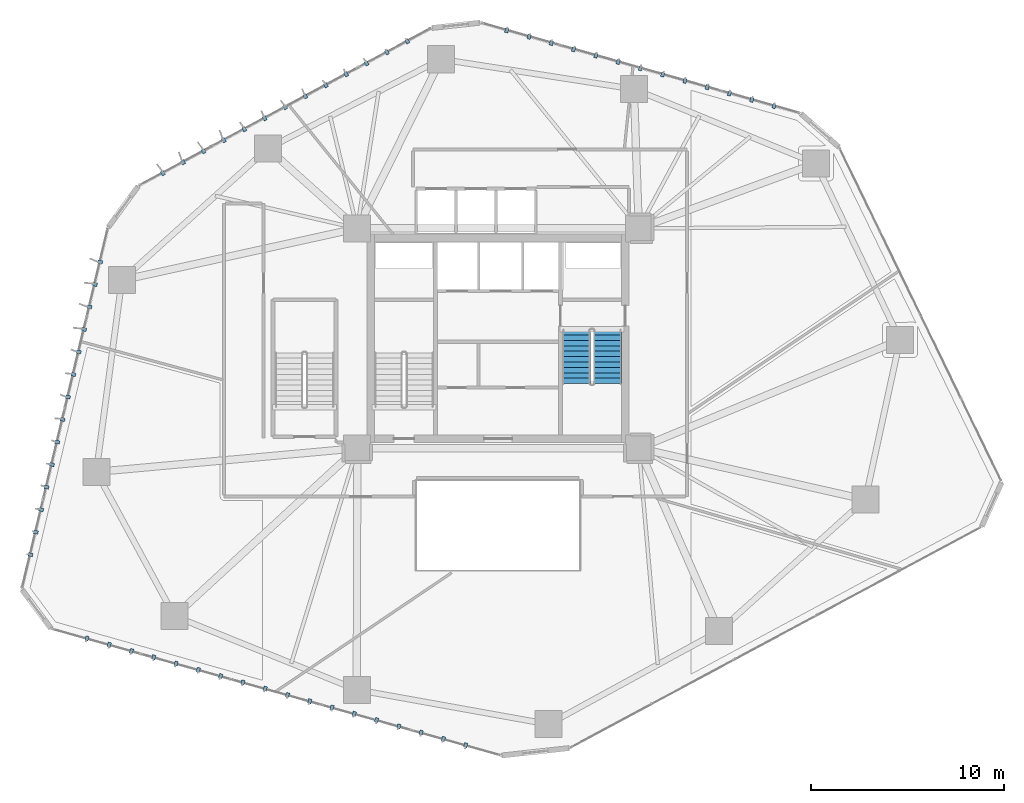
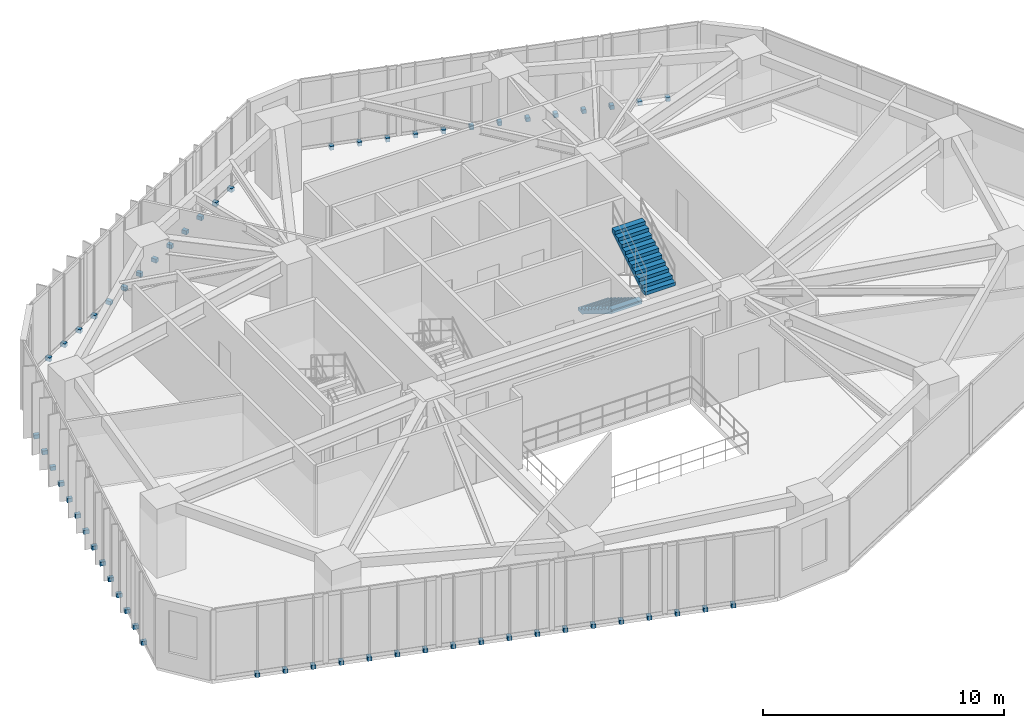
# One storey, part 21 of 24: 58 discrete accessories, 2 stair flights, 1 element without a shape of its own.
"""IFC4 building model written with IfcOpenShell, lengths in metres."""

from ifc_helpers import new_model, si_unit, direction, frame, origin, origin_2d, place, context, subcontext, project, spatial, polyline, rectangle, outline, extrude, source, transform, mapped, material, layer, layer_set, type_object, type_shapes, element, aggregate, save


model = new_model("IFC4")

# Units and contexts
model_context = context("Model", 3, precision=1e-05, world=origin(), true_north=direction((0.0, 1.0)))
body_context = subcontext(model_context, "Body", "Model", "MODEL_VIEW")
ifc_project = project(units=[si_unit("LENGTHUNIT", "METRE"), si_unit("AREAUNIT", "SQUARE_METRE"), si_unit("VOLUMEUNIT", "CUBIC_METRE"), si_unit("PLANEANGLEUNIT", "RADIAN"), si_unit("MASSUNIT", "GRAM", prefix="KILO")], contexts=[model_context])

# Site, building, storey
site_placement = place(None, origin())
site = spatial("IfcSite", under=ifc_project, at=site_placement, CompositionType="ELEMENT")
building_placement = place(site_placement, origin())
building = spatial("IfcBuilding", under=site, at=building_placement, Name="Talar Marvaseh", CompositionType="ELEMENT")
storey_placement = place(building_placement, frame((0.0, 0.0, 43.0)))
storey = spatial("IfcBuildingStorey", under=building, at=storey_placement, Name="L10", CompositionType="ELEMENT", Elevation=43.0)

# Stair, stair flights
ifc_material_1 = material(Name="Concrete C40/50", Category="concrete")
stair_type = type_object("IfcStairType", Name="Reinforced Concrete Half-Turn Exit Stair Type B", PredefinedType="HALF_TURN_STAIR", material=ifc_material_1)
stair_placement = place(storey_placement, origin())
stair = element("IfcStair", 1, at=stair_placement, inside=storey, type_object=stair_type, Name="L10 Tower East Core Exit Stair", PredefinedType="HALF_TURN_STAIR")
ifc_layer = layer(ifc_material_1, 0.159912109375)
ifc_layer_set = layer_set([ifc_layer], Name="Concrete C40/50")
stair_flight_type = type_object("IfcStairFlightType", Name="Reinforced Concrete Straight Stair Flight 160", PredefinedType="STRAIGHT", material=ifc_layer_set)
stair_flight_1_placement = place(storey_placement, frame((30.06494140625, 31.64990234375, 0.0), z_axis=(0.0, 0.0, 1.0), x_axis=(0.0, -1.0, 0.0)))
stair_flight_1 = element("IfcStairFlight", 2, at=stair_flight_1_placement, type_object=stair_flight_type, Name="ST-2 flight 1", NumberOfRisers=11, NumberOfTreads=10, PredefinedType="STRAIGHT", RiserHeight=0.172727273, TreadLength=0.28, context=body_context, shape_type="SweptSolid", body=[
    extrude(outline(polyline([(0.0, 0.0), (0.0, 0.172607421875), (0.280029296875, 0.172607421875), (0.280029296875, 0.345458984375), (0.56005859375, 0.345458984375), (0.56005859375, 0.51806640625), (0.840087890625, 0.51806640625), (0.840087890625, 0.69091796875), (1.1201171875, 0.69091796875), (1.1201171875, 0.863525390625), (1.39990234375, 0.863525390625), (1.39990234375, 1.036376953125), (1.679931640625, 1.036376953125), (1.679931640625, 1.208984375), (1.9599609375, 1.208984375), (1.9599609375, 1.3818359375), (2.239990234375, 1.3818359375), (2.239990234375, 1.554443359375), (2.52001953125, 1.554443359375), (2.52001953125, 1.727294921875), (2.800048828125, 1.727294921875), (2.800048828125, 1.89990234375), (2.800048828125, 1.539306640625), (0.3046875, 0.0), (0.0, 0.0)])), frame((0.0, 0.72509765625, 0.0), z_axis=(0.0, -1.0, 0.0), x_axis=(1.0, 0.0, 0.0)), (0.0, 0.0, 1.0), 1.449951171875),
])
stair_flight_2_placement = place(storey_placement, frame((31.675048828125, 28.85009765625, 1.89990234375), z_axis=(0.0, 0.0, 1.0), x_axis=(0.0, 1.0, 0.0)))
stair_flight_2 = element("IfcStairFlight", 3, at=stair_flight_2_placement, type_object=stair_flight_type, Name="ST-2 flight 2", NumberOfRisers=11, NumberOfTreads=10, PredefinedType="STRAIGHT", RiserHeight=0.172727273, TreadLength=0.28, context=body_context, shape_type="SweptSolid", body=[
    extrude(outline(polyline([(0.0, 0.0), (0.0, 0.172607421875), (0.280029296875, 0.172607421875), (0.280029296875, 0.345458984375), (0.56005859375, 0.345458984375), (0.56005859375, 0.51806640625), (0.840087890625, 0.51806640625), (0.840087890625, 0.69091796875), (1.1201171875, 0.69091796875), (1.1201171875, 0.863525390625), (1.39990234375, 0.863525390625), (1.39990234375, 1.036376953125), (1.679931640625, 1.036376953125), (1.679931640625, 1.208984375), (1.9599609375, 1.208984375), (1.9599609375, 1.3818359375), (2.239990234375, 1.3818359375), (2.239990234375, 1.554443359375), (2.52001953125, 1.554443359375), (2.52001953125, 1.727294921875), (2.800048828125, 1.727294921875), (2.800048828125, 1.89990234375), (2.800048828125, 1.539306640625), (0.3046875, 0.0), (0.0, 0.0)])), frame((0.0, 0.72509765625, 0.0), z_axis=(0.0, -1.0, 0.0), x_axis=(1.0, 0.0, 0.0)), (0.0, 0.0, 1.0), 1.449951171875),
])
aggregate(stair, [stair_flight_1, stair_flight_2])

# Discrete accessories
ifc_material_2 = material(Name="Stainless Steel Grade 316", Category="steel")
discrete_accessory_type = type_object("IfcDiscreteAccessoryType", Name="Stainless Slab-Edge Fin Mounting Bracket", PredefinedType="BRACKET", material=ifc_material_2)
shared_shape = source(origin(), body_context, "Body", "SweptSolid", [
    extrude(rectangle(XDim=0.239990234375, YDim=0.179931640625, at=origin_2d()), origin(), (0.0, 0.0, 1.0), 0.199951171875),
])
type_shapes(discrete_accessory_type, [shared_shape])
for number, where, z_axis, x_axis, name in (
    (4, (1.76318359375, 19.984619140625, -0.18017578125), (0.0, 0.0, 1.0), (-0.972775878209, 0.231747903494, 0.0), "L10 Vertical Fin Slab-Edge Bracket"),
    (5, (2.041259765625, 21.15185546875, -0.18017578125), (0.0, 0.0, 1.0), (-0.972775878209, 0.231747903494, 0.0), "L10 Vertical Fin Slab-Edge Bracket"),
    (6, (2.3193359375, 22.319091796875, -0.18017578125), (0.0, 0.0, 1.0), (-0.972775878209, 0.231747903494, 0.0), "L10 Vertical Fin Slab-Edge Bracket"),
    (7, (2.59765625, 23.486572265625, -0.18017578125), (0.0, 0.0, 1.0), (-0.972775878209, 0.231747903494, 0.0), "L10 Vertical Fin Slab-Edge Bracket"),
    (8, (2.875732421875, 24.65380859375, -0.18017578125), (0.0, 0.0, 1.0), (-0.972775878209, 0.231747903494, 0.0), "L10 Vertical Fin Slab-Edge Bracket"),
    (9, (3.15380859375, 25.8212890625, -0.18017578125), (0.0, 0.0, 1.0), (-0.972775878209, 0.231747903494, 0.0), "L10 Vertical Fin Slab-Edge Bracket"),
    (10, (3.43212890625, 26.988525390625, -0.18017578125), (0.0, 0.0, 1.0), (-0.972775878209, 0.231747903494, 0.0), "L10 Vertical Fin Slab-Edge Bracket"),
    (11, (3.710205078125, 28.15576171875, -0.18017578125), (0.0, 0.0, 1.0), (-0.972775878209, 0.231747903494, 0.0), "L10 Vertical Fin Slab-Edge Bracket"),
    (12, (3.988525390625, 29.322998046875, -0.18017578125), (0.0, 0.0, 1.0), (-0.972775878209, 0.231747903494, 0.0), "L10 Vertical Fin Slab-Edge Bracket"),
    (13, (4.2666015625, 30.490478515625, -0.18017578125), (0.0, 0.0, 1.0), (-0.972775878209, 0.231747903494, 0.0), "L10 Vertical Fin Slab-Edge Bracket"),
    (14, (4.544921875, 31.65771484375, -0.18017578125), (0.0, 0.0, 1.0), (-0.972775878209, 0.231747903494, 0.0), "L10 Vertical Fin Slab-Edge Bracket"),
    (15, (4.822998046875, 32.824951171875, -0.18017578125), (0.0, 0.0, 1.0), (-0.972775878209, 0.231747903494, 0.0), "L10 Vertical Fin Slab-Edge Bracket"),
    (16, (5.10107421875, 33.9921875, -0.18017578125), (0.0, 0.0, 1.0), (-0.972775878209, 0.231747903494, 0.0), "L10 Vertical Fin Slab-Edge Bracket"),
    (17, (5.37939453125, 35.15966796875, -0.18017578125), (0.0, 0.0, 1.0), (-0.972775878209, 0.231747903494, 0.0), "L10 Vertical Fin Slab-Edge Bracket"),
    (18, (8.6240234375, 39.76318359375, -0.18017578125), (0.0, 0.0, 1.0), (-0.474395524734, 0.880311811867, 0.0), "L10 Vertical Fin Slab-Edge Bracket"),
    (19, (9.680419921875, 40.33251953125, -0.18017578125), (0.0, 0.0, 1.0), (-0.474395524734, 0.880311811867, 0.0), "L10 Vertical Fin Slab-Edge Bracket"),
    (20, (10.73681640625, 40.901611328125, -0.18017578125), (0.0, 0.0, 1.0), (-0.474395524734, 0.880311811867, 0.0), "L10 Vertical Fin Slab-Edge Bracket"),
    (21, (11.793212890625, 41.470947265625, -0.18017578125), (0.0, 0.0, 1.0), (-0.474395524734, 0.880311811867, 0.0), "L10 Vertical Fin Slab-Edge Bracket"),
    (22, (12.849609375, 42.0400390625, -0.18017578125), (0.0, 0.0, 1.0), (-0.474395524734, 0.880311811867, 0.0), "L10 Vertical Fin Slab-Edge Bracket"),
    (23, (13.906005859375, 42.609375, -0.18017578125), (0.0, 0.0, 1.0), (-0.474395524734, 0.880311811867, 0.0), "L10 Vertical Fin Slab-Edge Bracket"),
    (24, (14.96240234375, 43.1787109375, -0.18017578125), (0.0, 0.0, 1.0), (-0.474395524734, 0.880311811867, 0.0), "L10 Vertical Fin Slab-Edge Bracket"),
    (25, (16.018798828125, 43.747802734375, -0.18017578125), (0.0, 0.0, 1.0), (-0.474395524734, 0.880311811867, 0.0), "L10 Vertical Fin Slab-Edge Bracket"),
    (26, (17.0751953125, 44.317138671875, -0.18017578125), (0.0, 0.0, 1.0), (-0.474395524734, 0.880311811867, 0.0), "L10 Vertical Fin Slab-Edge Bracket"),
    (27, (18.131591796875, 44.88623046875, -0.18017578125), (0.0, 0.0, 1.0), (-0.474395524734, 0.880311811867, 0.0), "L10 Vertical Fin Slab-Edge Bracket"),
    (28, (19.18798828125, 45.45556640625, -0.18017578125), (0.0, 0.0, 1.0), (-0.474395524734, 0.880311811867, 0.0), "L10 Vertical Fin Slab-Edge Bracket"),
    (29, (20.244384765625, 46.02490234375, -0.18017578125), (0.0, 0.0, 1.0), (-0.474395524734, 0.880311811867, 0.0), "L10 Vertical Fin Slab-Edge Bracket"),
    (30, (21.30078125, 46.593994140625, -0.18017578125), (0.0, 0.0, 1.0), (-0.474395524734, 0.880311811867, 0.0), "L10 Vertical Fin Slab-Edge Bracket"),
    (31, (26.455078125, 47.158447265625, -0.18017578125), (0.0, 0.0, 1.0), (0.272616107888, 0.962122891174, 0.0), "L10 Vertical Fin Slab-Edge Bracket"),
    (32, (27.609619140625, 46.831298828125, -0.18017578125), (0.0, 0.0, 1.0), (0.272616107888, 0.962122891174, 0.0), "L10 Vertical Fin Slab-Edge Bracket"),
    (33, (28.76416015625, 46.50439453125, -0.18017578125), (0.0, 0.0, 1.0), (0.272616107888, 0.962122891174, 0.0), "L10 Vertical Fin Slab-Edge Bracket"),
    (34, (29.918701171875, 46.17724609375, -0.18017578125), (0.0, 0.0, 1.0), (0.272616107888, 0.962122891174, 0.0), "L10 Vertical Fin Slab-Edge Bracket"),
    (35, (31.0732421875, 45.85009765625, -0.18017578125), (0.0, 0.0, 1.0), (0.272616107888, 0.962122891174, 0.0), "L10 Vertical Fin Slab-Edge Bracket"),
    (36, (32.227783203125, 45.52294921875, -0.18017578125), (0.0, 0.0, 1.0), (0.272616107888, 0.962122891174, 0.0), "L10 Vertical Fin Slab-Edge Bracket"),
    (37, (33.38232421875, 45.19580078125, -0.18017578125), (0.0, 0.0, 1.0), (0.272616107888, 0.962122891174, 0.0), "L10 Vertical Fin Slab-Edge Bracket"),
    (38, (34.537109375, 44.868896484375, -0.18017578125), (0.0, 0.0, 1.0), (0.272616107888, 0.962122891174, 0.0), "L10 Vertical Fin Slab-Edge Bracket"),
    (39, (35.69140625, 44.541748046875, -0.18017578125), (0.0, 0.0, 1.0), (0.272616107888, 0.962122891174, 0.0), "L10 Vertical Fin Slab-Edge Bracket"),
    (40, (36.84619140625, 44.214599609375, -0.18017578125), (0.0, 0.0, 1.0), (0.272616107888, 0.962122891174, 0.0), "L10 Vertical Fin Slab-Edge Bracket"),
    (41, (38.00048828125, 43.8876953125, -0.18017578125), (0.0, 0.0, 1.0), (0.272616107888, 0.962122891174, 0.0), "L10 Vertical Fin Slab-Edge Bracket"),
    (42, (39.1552734375, 43.560546875, -0.18017578125), (0.0, 0.0, 1.0), (0.272616107888, 0.962122891174, 0.0), "L10 Vertical Fin Slab-Edge Bracket"),
    (43, (40.309814453125, 43.2333984375, -0.18017578125), (0.0, 0.0, 1.0), (0.272616107888, 0.962122891174, 0.0), "L10 Vertical Fin Slab-Edge Bracket"),
    (44, (24.326416015625, 10.10791015625, -0.18017578125), (0.0, 0.0, 1.0), (-0.271272465604, -0.96250259709, 0.0), "L10 Vertical Fin Slab-Edge Bracket"),
    (45, (23.17138671875, 10.433349609375, -0.18017578125), (0.0, 0.0, 1.0), (-0.271272465604, -0.96250259709, 0.0), "L10 Vertical Fin Slab-Edge Bracket"),
    (46, (22.016357421875, 10.7587890625, -0.18017578125), (0.0, 0.0, 1.0), (-0.271272465604, -0.96250259709, 0.0), "L10 Vertical Fin Slab-Edge Bracket"),
    (47, (20.861328125, 11.08447265625, -0.18017578125), (0.0, 0.0, 1.0), (-0.271272465604, -0.96250259709, 0.0), "L10 Vertical Fin Slab-Edge Bracket"),
    (48, (19.706298828125, 11.409912109375, -0.18017578125), (0.0, 0.0, 1.0), (-0.271272465604, -0.96250259709, 0.0), "L10 Vertical Fin Slab-Edge Bracket"),
    (49, (18.551513671875, 11.735595703125, -0.18017578125), (0.0, 0.0, 1.0), (-0.271272465604, -0.96250259709, 0.0), "L10 Vertical Fin Slab-Edge Bracket"),
    (50, (17.396484375, 12.06103515625, -0.18017578125), (0.0, 0.0, 1.0), (-0.271272465604, -0.96250259709, 0.0), "L10 Vertical Fin Slab-Edge Bracket"),
    (51, (16.241455078125, 12.38671875, -0.18017578125), (0.0, 0.0, 1.0), (-0.271272465604, -0.96250259709, 0.0), "L10 Vertical Fin Slab-Edge Bracket"),
    (52, (15.08642578125, 12.712158203125, -0.18017578125), (0.0, 0.0, 1.0), (-0.271272465604, -0.96250259709, 0.0), "L10 Vertical Fin Slab-Edge Bracket"),
    (53, (13.931396484375, 13.03759765625, -0.18017578125), (0.0, 0.0, 1.0), (-0.271272465604, -0.96250259709, 0.0), "L10 Vertical Fin Slab-Edge Bracket"),
    (54, (12.7763671875, 13.36328125, -0.18017578125), (0.0, 0.0, 1.0), (-0.271272465604, -0.96250259709, 0.0), "L10 Vertical Fin Slab-Edge Bracket"),
    (55, (11.621337890625, 13.688720703125, -0.18017578125), (0.0, 0.0, 1.0), (-0.271272465604, -0.96250259709, 0.0), "L10 Vertical Fin Slab-Edge Bracket"),
    (56, (10.46630859375, 14.014404296875, -0.18017578125), (0.0, 0.0, 1.0), (-0.271272465604, -0.96250259709, 0.0), "L10 Vertical Fin Slab-Edge Bracket"),
    (57, (9.311279296875, 14.33984375, -0.18017578125), (0.0, 0.0, 1.0), (-0.271272465604, -0.96250259709, 0.0), "L10 Vertical Fin Slab-Edge Bracket"),
    (58, (8.156494140625, 14.66552734375, -0.18017578125), (0.0, 0.0, 1.0), (-0.271272465604, -0.96250259709, 0.0), "L10 Vertical Fin Slab-Edge Bracket"),
    (59, (7.00146484375, 14.990966796875, -0.18017578125), (0.0, 0.0, 1.0), (-0.271272465604, -0.96250259709, 0.0), "L10 Vertical Fin Slab-Edge Bracket"),
    (60, (5.846435546875, 15.316650390625, -0.18017578125), (0.0, 0.0, 1.0), (-0.271272465604, -0.96250259709, 0.0), "L10 Vertical Fin Slab-Edge Bracket"),
    (61, (4.69140625, 15.64208984375, -0.18017578125), (0.0, 0.0, 1.0), (-0.271272465604, -0.96250259709, 0.0), "L10 Vertical Fin Slab-Edge Bracket"),
):
    element("IfcDiscreteAccessory", number, at=place(storey_placement, frame(where, z_axis=z_axis, x_axis=x_axis)), inside=storey, type_object=discrete_accessory_type, Name=name, PredefinedType="BRACKET", context=body_context, shape_type="MappedRepresentation", body=[
        mapped(shared_shape, transform((0.0, 0.0, 0.0), x_axis=(1.0, 0.0, 0.0), y_axis=(0.0, 1.0, 0.0), z_axis=(0.0, 0.0, 1.0), scale=1.0)),
    ])

save(model, "model.ifc")
